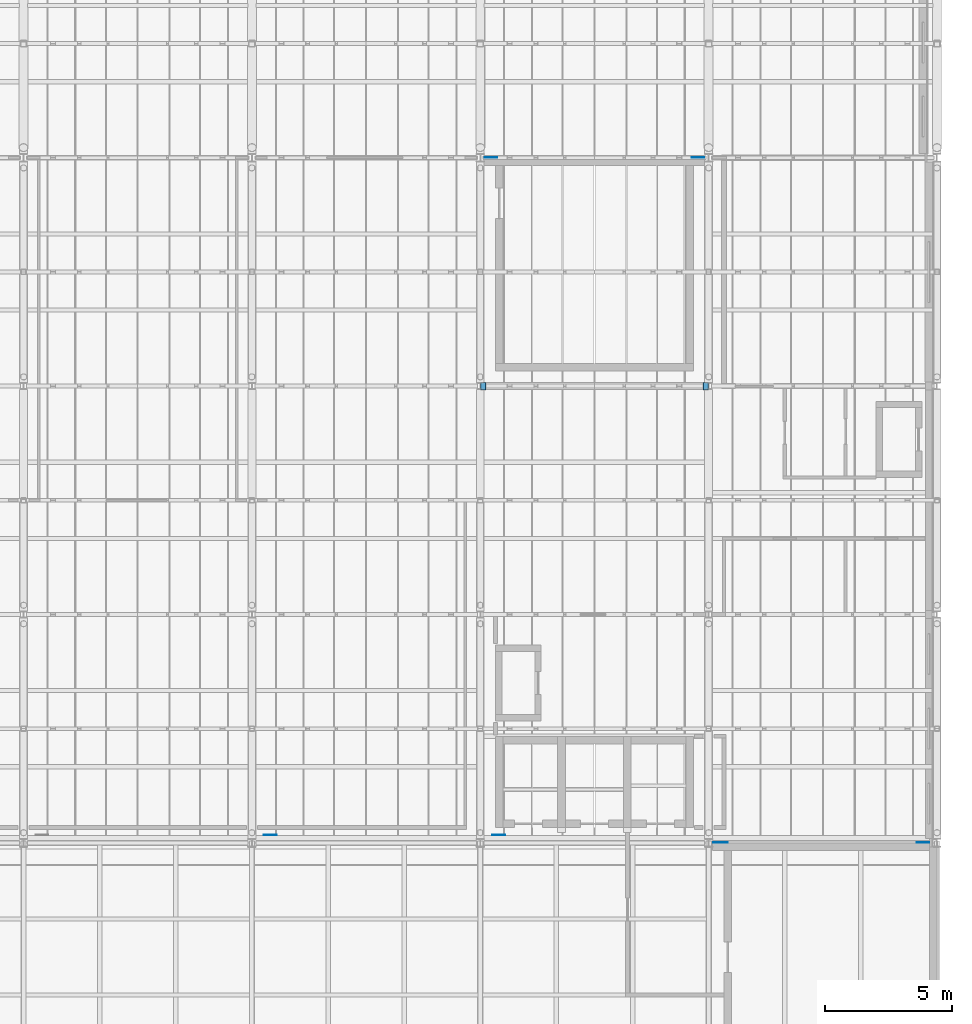
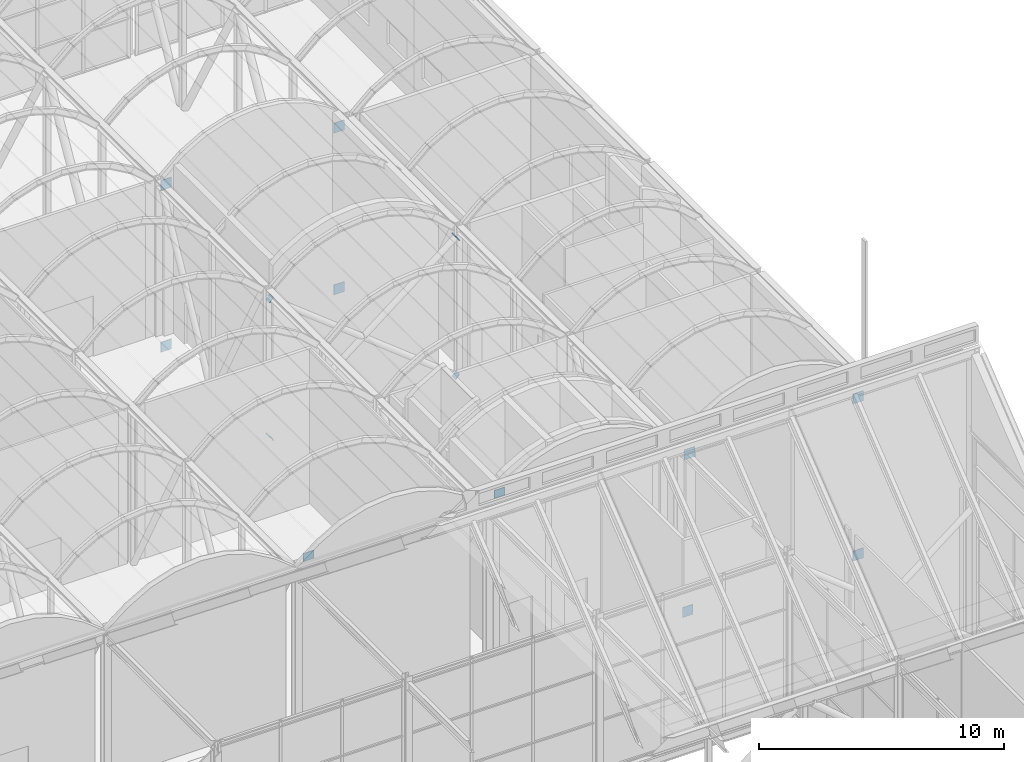
# One storey, part 140 of 144: 14 discrete accessories.
"""IFC4 building model written with IfcOpenShell, lengths in metres."""

from ifc_helpers import new_model, si_unit, direction, frame, origin, place, context, subcontext, project, spatial, polyline, outline, extrude, material, layer, layer_set, type_object, element, save


model = new_model("IFC4")

# Units and contexts
model_context = context("Model", 3, precision=1e-05, world=origin(), true_north=direction((0.0, 1.0)))
body_context = subcontext(model_context, "Body", "Model", "MODEL_VIEW")
ifc_project = project(units=[si_unit("LENGTHUNIT", "METRE"), si_unit("AREAUNIT", "SQUARE_METRE"), si_unit("VOLUMEUNIT", "CUBIC_METRE"), si_unit("PLANEANGLEUNIT", "RADIAN"), si_unit("MASSUNIT", "GRAM", prefix="KILO")], contexts=[model_context])

# Site, building, storey
site_placement = place(None, origin())
site = spatial("IfcSite", under=ifc_project, at=site_placement, CompositionType="ELEMENT")
building_placement = place(site_placement, origin())
building = spatial("IfcBuilding", under=site, at=building_placement, Name="Shorebreak Coast Museum", CompositionType="ELEMENT")
storey_placement = place(building_placement, frame((0.0, 0.0, 36.0)))
storey = spatial("IfcBuildingStorey", under=building, at=storey_placement, Name="L06", CompositionType="ELEMENT", Elevation=36.0)

# Discrete accessories
ifc_material_1 = material(Name="Steel Grade 300", Category="steel")
ifc_layer_1 = layer(ifc_material_1, 0.02490234375)
ifc_layer_set_1 = layer_set([ifc_layer_1], Name="Steel Grade 300")
discrete_accessory_type_1 = type_object("IfcDiscreteAccessoryType", Name="Cast-in plate 500 x 400 x 25", PredefinedType="ANCHORPLATE", material=ifc_layer_set_1)
for number, where, z_axis, x_axis, name in (
    (1, (90.47509765625, 90.300048828125, 7.8212890625), (0.0, -1.0, 0.0), (1.0, 0.0, 0.0), "Cast-in plate Transfer truss TR5 chord C09 end 1"),
    (2, (99.47509765625, 90.300048828125, 7.8212890625), (0.0, -1.0, 0.0), (1.0, 0.0, 0.0), "Cast-in plate Transfer truss TR6 chord C09 end 1"),
):
    element("IfcDiscreteAccessory", number, at=place(storey_placement, frame(where, z_axis=z_axis, x_axis=x_axis)), inside=storey, type_object=discrete_accessory_type_1, Name=name, PredefinedType="ANCHORPLATE", context=body_context, shape_type="SweptSolid", body=[
        extrude(outline(polyline([(0.0, 0.0), (0.5, 0.0), (0.5, 0.400146484375), (0.0, 0.400146484375), (0.0, 0.0)])), origin(), (0.0, 0.0, -1.0), 0.02490234375),
    ])
ifc_material_2 = material(Name="Steel Grade 300", Category="steel")
ifc_layer_2 = layer(ifc_material_2, 0.02490234375)
ifc_layer_set_2 = layer_set([ifc_layer_2], Name="Steel Grade 300")
discrete_accessory_type_2 = type_object("IfcDiscreteAccessoryType", Name="Cast-in plate 500 x 500 x 25", PredefinedType="ANCHORPLATE", material=ifc_layer_set_2)
for number, where, z_axis, x_axis, name in (
    (3, (99.175048828125, 117.0, -0.9853515625), (0.0, -1.0, 0.0), (1.0, 0.0, 0.0), "Cast-in plate Transfer truss TR6 chord C07 end 2"),
    (4, (99.175048828125, 117.0, 7.0712890625), (0.0, -1.0, 0.0), (1.0, 0.0, 0.0), "Cast-in plate Transfer truss TR6 chord C11 end 2"),
    (5, (108.175048828125, 90.0, -0.9853515625), (0.0, -1.0, 0.0), (1.0, 0.0, 0.0), "Cast-in plate Transfer truss TR7 chord C05 end 1"),
    (6, (107.324951171875, 117.0, -0.9853515625), (0.0, -1.0, 0.0), (1.0, 0.0, 0.0), "Cast-in plate Transfer truss TR7 chord C07 end 2"),
    (7, (108.25, 90.0, 6.846435546875), (0.0, -1.0, 0.0), (1.0, 0.0, 0.0), "Cast-in plate Transfer truss TR7 chord C09 end 1"),
    (8, (107.324951171875, 117.0, 7.0712890625), (0.0, -1.0, 0.0), (1.0, 0.0, 0.0), "Cast-in plate Transfer truss TR7 chord C11 end 2"),
    (9, (116.199951171875, 90.0, -0.9853515625), (0.0, -1.0, 0.0), (1.0, 0.0, 0.0), "Cast-in plate Transfer truss TR8 chord C05 end 1"),
    (10, (116.199951171875, 90.0, 6.846435546875), (0.0, -1.0, 0.0), (1.0, 0.0, 0.0), "Cast-in plate Transfer truss TR8 chord C09 end 1"),
):
    element("IfcDiscreteAccessory", number, at=place(storey_placement, frame(where, z_axis=z_axis, x_axis=x_axis)), inside=storey, type_object=discrete_accessory_type_2, Name=name, PredefinedType="ANCHORPLATE", context=body_context, shape_type="SweptSolid", body=[
        extrude(outline(polyline([(0.0, 0.0), (0.5, 0.0), (0.5, 0.5), (0.0, 0.5), (0.0, 0.0)])), origin(), (0.0, 0.0, -1.0), 0.02490234375),
    ])
ifc_material_3 = material(Name="Steel Grade 300", Category="steel")
ifc_layer_3 = layer(ifc_material_3, 0.02490234375)
ifc_layer_set_3 = layer_set([ifc_layer_3], Name="Steel Grade 300")
discrete_accessory_type_3 = type_object("IfcDiscreteAccessoryType", Name="End plate 300 x 300 x 25", PredefinedType="BRACKET", material=ifc_layer_set_3)
discrete_accessory_1_placement = place(storey_placement, frame((99.2197265625, 107.85009765625, 0.18212890625), z_axis=(0.785922934819, 0.0, 0.618324462176), x_axis=(0.0, 1.0, 0.0)))
element("IfcDiscreteAccessory", 11, at=discrete_accessory_1_placement, inside=storey, type_object=discrete_accessory_type_3, Name="End plate X-brace bay 11 L06 diagonal 1 end 1", PredefinedType="BRACKET", context=body_context, shape_type="SweptSolid", body=[
    extrude(outline(polyline([(0.0, 0.0), (0.2998046875, 0.0), (0.2998046875, 0.30008011384010447), (0.0, 0.30008011384010447), (0.0, 0.0)])), origin(), (0.0, 0.0, -1.0), 0.02490234375),
])
discrete_accessory_2_placement = place(storey_placement, frame((107.9853515625, 107.85009765625, 7.07861328125), z_axis=(0.785611582335, 0.0, 0.618720002668), x_axis=(0.0, 1.0, 0.0)))
element("IfcDiscreteAccessory", 12, at=discrete_accessory_2_placement, inside=storey, type_object=discrete_accessory_type_3, Name="End plate X-brace bay 11 L06 diagonal 1 end 2", PredefinedType="BRACKET", context=body_context, shape_type="SweptSolid", body=[
    extrude(outline(polyline([(0.0, 0.0), (0.2998046875, 0.0), (0.2998046875, 0.2998882761183384), (0.0, 0.2998882761183384), (0.0, 0.0)])), origin(), (0.0, 0.0, -1.0), 0.02490234375),
])
discrete_accessory_3_placement = place(storey_placement, frame((107.7802734375, 108.14990234375, 0.18212890625), z_axis=(-0.785922934819, 0.0, 0.618324462176), x_axis=(0.0, -1.0, 0.0)))
element("IfcDiscreteAccessory", 13, at=discrete_accessory_3_placement, inside=storey, type_object=discrete_accessory_type_3, Name="End plate X-brace bay 11 L06 diagonal 2 end 1", PredefinedType="BRACKET", context=body_context, shape_type="SweptSolid", body=[
    extrude(outline(polyline([(0.0, 0.0), (0.2998046875, 0.0), (0.2998046875, 0.30008011384010447), (0.0, 0.30008011384010447), (0.0, 0.0)])), origin(), (0.0, 0.0, -1.0), 0.02490234375),
])
discrete_accessory_4_placement = place(storey_placement, frame((99.0146484375, 108.14990234375, 7.07861328125), z_axis=(-0.785611582335, 0.0, 0.618720002668), x_axis=(0.0, -1.0, 0.0)))
element("IfcDiscreteAccessory", 14, at=discrete_accessory_4_placement, inside=storey, type_object=discrete_accessory_type_3, Name="End plate X-brace bay 11 L06 diagonal 2 end 2", PredefinedType="BRACKET", context=body_context, shape_type="SweptSolid", body=[
    extrude(outline(polyline([(0.0, 0.0), (0.2998046875, 0.0), (0.2998046875, 0.2998882761183384), (0.0, 0.2998882761183384), (0.0, 0.0)])), origin(), (0.0, 0.0, -1.0), 0.02490234375),
])

save(model, "model.ifc")
